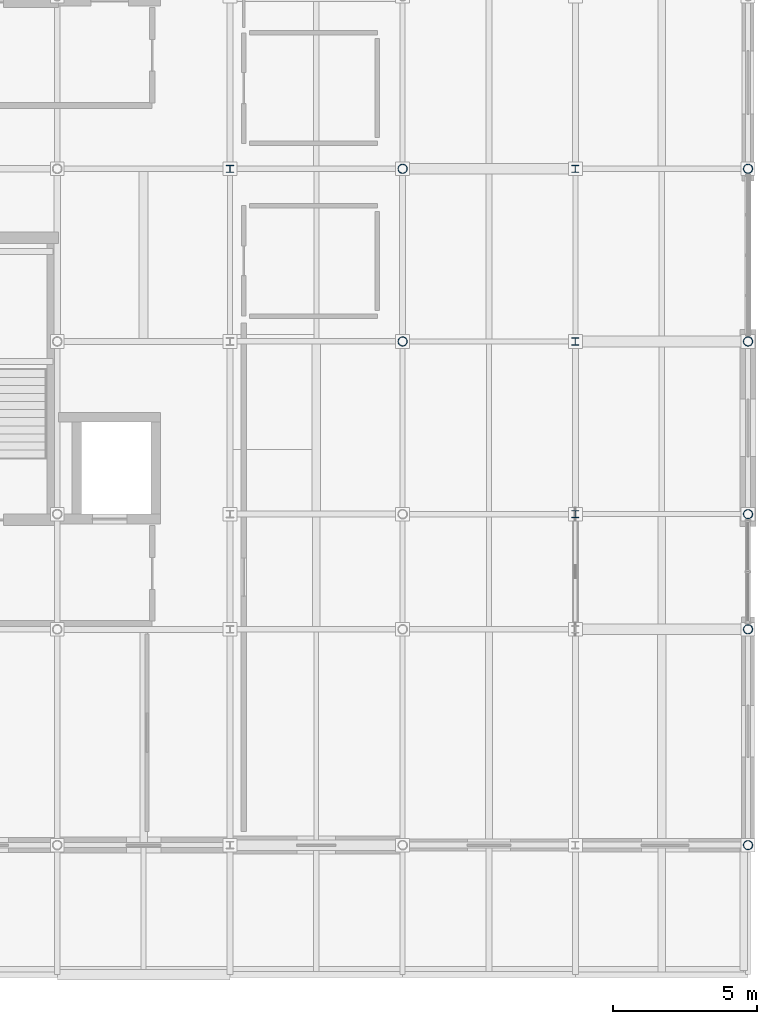
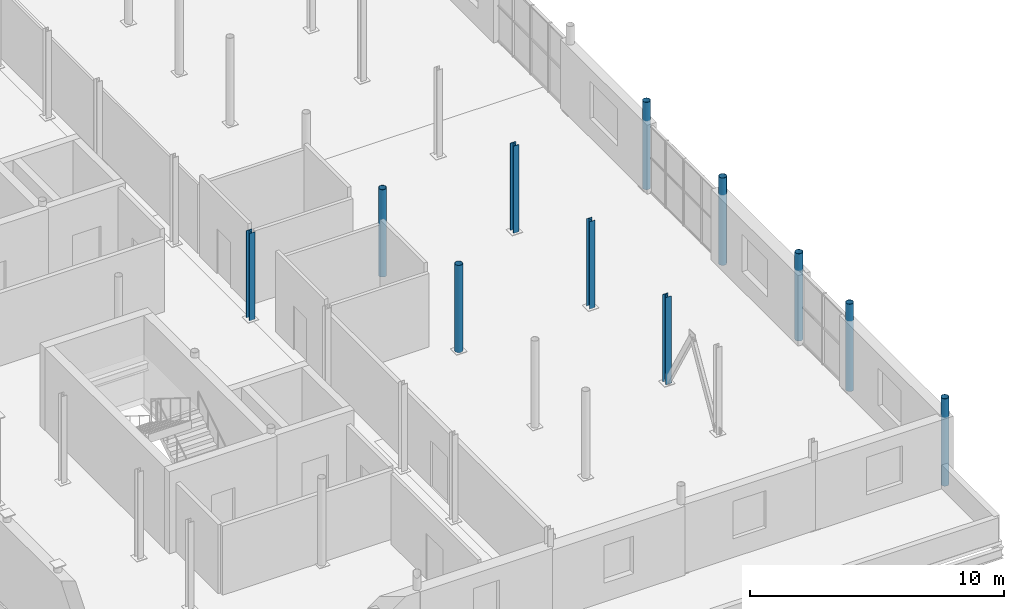
# One storey, part 4 of 30: 11 columns.
"""IFC4 building model written with IfcOpenShell, lengths in metres."""

from ifc_helpers import new_model, si_unit, direction, frame, origin, origin_2d, place, context, subcontext, project, spatial, hollow_circle, i_section, extrude, material, material_profile, profile_set, type_object, element, save


model = new_model("IFC4")

# Units and contexts
model_context = context("Model", 3, precision=1e-05, world=origin(), true_north=direction((0.0, 1.0)))
body_context = subcontext(model_context, "Body", "Model", "MODEL_VIEW")
ifc_project = project(units=[si_unit("LENGTHUNIT", "METRE"), si_unit("AREAUNIT", "SQUARE_METRE"), si_unit("VOLUMEUNIT", "CUBIC_METRE"), si_unit("PLANEANGLEUNIT", "RADIAN"), si_unit("MASSUNIT", "GRAM", prefix="KILO")], contexts=[model_context])

# Site, building, storey
site_placement = place(None, origin())
site = spatial("IfcSite", under=ifc_project, at=site_placement, CompositionType="ELEMENT")
building_placement = place(site_placement, origin())
building = spatial("IfcBuilding", under=site, at=building_placement, Name="Verrall Gate Interchange", CompositionType="ELEMENT")
storey_placement = place(building_placement, frame((0.0, 0.0, 19.39990234375)))
storey = spatial("IfcBuildingStorey", under=building, at=storey_placement, Name="L05", CompositionType="ELEMENT", Elevation=19.39990234375)

# Columns
ifc_material_1 = material(Name="Structural Steel CSA G40.21 350W", Category="steel")
ifc_material_profile_1 = material_profile(ifc_material_1, i_section(OverallWidth=0.25390625, OverallDepth=0.2529296875, WebThickness=0.008544921875, FlangeThickness=0.01416015625, FilletRadius=0.011962890625, at=origin_2d()), Name="W250x73")
ifc_profile_set_1 = profile_set([ifc_material_profile_1], Name="Structural Steel CSA G40.21 350W")
column_type_1 = type_object("IfcColumnType", Name="C-11 Column W250x73", PredefinedType="COLUMN", material=ifc_profile_set_1)
for number, where, z_axis, x_axis, name in (
    (1, (18.0, 28.0, 0.0), (0.0, 0.0, 1.0), (1.0, 0.0, 0.0), "L05 Column COL-L05-0412 (C-11)"),
    (2, (30.0, 16.0, 0.0), (0.0, 0.0, 1.0), (1.0, 0.0, 0.0), "L05 Column COL-L05-0628 (C-11)"),
    (3, (30.0, 22.0, 0.0), (0.0, 0.0, 1.0), (1.0, 0.0, 0.0), "L05 Column COL-L05-0637 (C-11)"),
    (4, (30.0, 28.0, 0.0), (0.0, 0.0, 1.0), (1.0, 0.0, 0.0), "L05 Column COL-L05-0646 (C-11)"),
):
    element("IfcColumn", number, at=place(storey_placement, frame(where, z_axis=z_axis, x_axis=x_axis)), inside=storey, type_object=column_type_1, Name=name, PredefinedType="COLUMN", context=body_context, shape_type="SweptSolid", body=[
        extrude(i_section(OverallWidth=0.25390625, OverallDepth=0.2529296875, WebThickness=0.008544921875, FlangeThickness=0.01416015625, FilletRadius=0.011962890625, at=origin_2d()), origin(), (0.0, 0.0, 1.0), 4.2001953125),
    ])
ifc_material_2 = material(Name="Structural Steel CSA G40.21 350WT Cat 4", Category="steel")
ifc_material_profile_2 = material_profile(ifc_material_2, hollow_circle(Radius=0.161865234375, WallThickness=0.0126953125, at=origin_2d()), Name="HSS324x13")
ifc_profile_set_2 = profile_set([ifc_material_profile_2], Name="Structural Steel CSA G40.21 350WT Cat 4")
column_type_2 = type_object("IfcColumnType", Name="C-15 Column HSS324x13", PredefinedType="COLUMN", material=ifc_profile_set_2)
for number, where, z_axis, x_axis, name in (
    (5, (24.0, 22.0, 0.0), (0.0, 0.0, 1.0), (1.0, 0.0, 0.0), "L05 Column COL-L05-0520 (C-15)"),
    (6, (24.0, 28.0, 0.0), (0.0, 0.0, 1.0), (1.0, 0.0, 0.0), "L05 Column COL-L05-0529 (C-15)"),
    (7, (36.0, 4.5, 0.0), (0.0, 0.0, 1.0), (1.0, 0.0, 0.0), "L05 Column COL-L05-0728 (C-15)"),
    (8, (36.0, 12.0, 0.0), (0.0, 0.0, 1.0), (1.0, 0.0, 0.0), "L05 Column COL-L05-0736 (C-15)"),
    (9, (36.0, 16.0, 0.0), (0.0, 0.0, 1.0), (1.0, 0.0, 0.0), "L05 Column COL-L05-0744 (C-15)"),
    (10, (36.0, 22.0, 0.0), (0.0, 0.0, 1.0), (1.0, 0.0, 0.0), "L05 Column COL-L05-0752 (C-15)"),
    (11, (36.0, 28.0, 0.0), (0.0, 0.0, 1.0), (1.0, 0.0, 0.0), "L05 Column COL-L05-0760 (C-15)"),
):
    element("IfcColumn", number, at=place(storey_placement, frame(where, z_axis=z_axis, x_axis=x_axis)), inside=storey, type_object=column_type_2, Name=name, PredefinedType="COLUMN", context=body_context, shape_type="SweptSolid", body=[
        extrude(hollow_circle(Radius=0.161865234375, WallThickness=0.0126953125, at=origin_2d()), origin(), (0.0, 0.0, 1.0), 4.2001953125),
    ])

save(model, "model.ifc")
